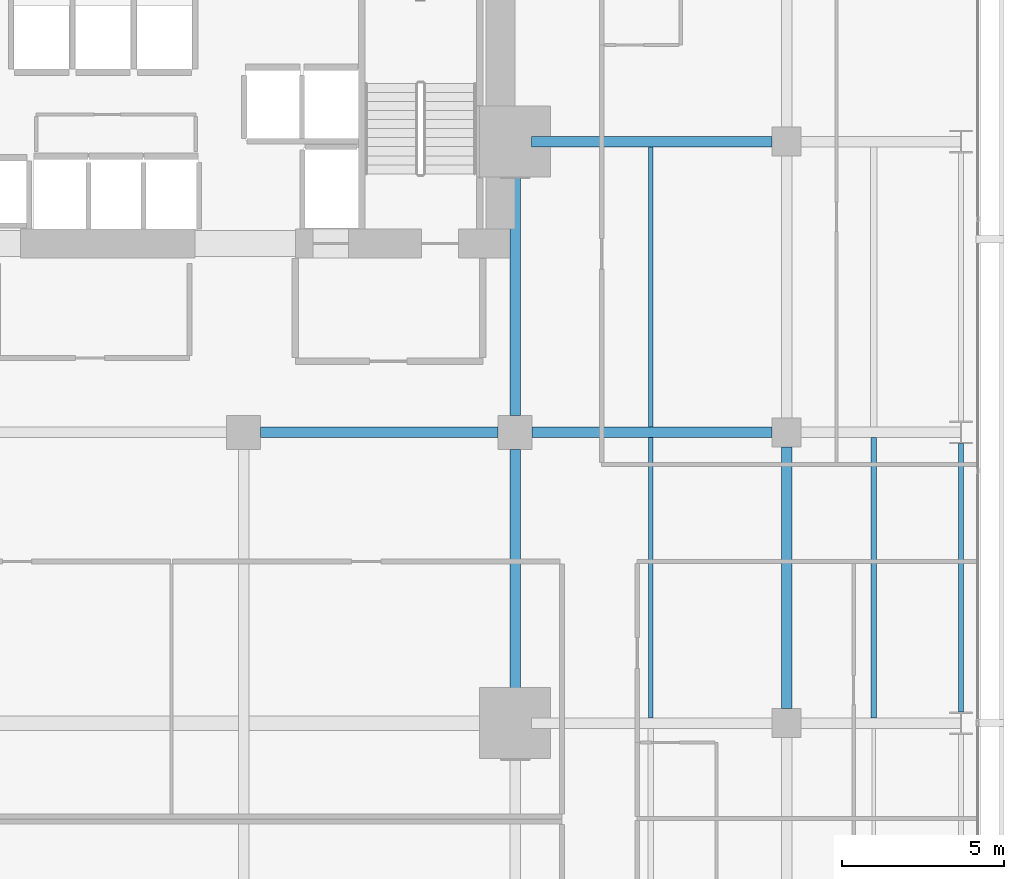
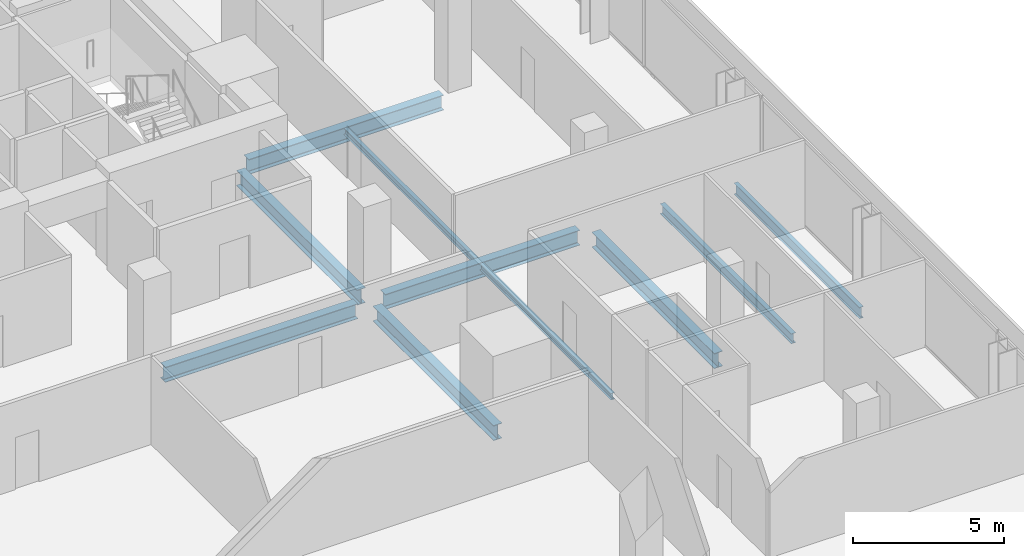
# One storey, part 27 of 39: 10 beams.
"""IFC4 building model written with IfcOpenShell, lengths in metres."""

import ifcopenshell
import ifcopenshell.guid

model = None  # the IFC model being written
_history = None  # IfcOwnerHistory: only IFC2X3 demands one
_inside = {}  # id of a spatial element -> (the spatial element, [elements in it])
_under = {}  # id of a project, library or spatial element -> (it, [spatial elements below it])
_declared = {}  # id of a project -> (the project, [libraries it declares])
_typed = {}  # id of a type object -> (the type object, [elements of that type])
_made_of = {}  # id of a material, layer set ... -> (it, [elements and type objects made of it])


def new_model(schema):
    """Start an empty IFC model of exactly this schema.

    Asked for "IFC4X3", IfcOpenShell would pick the latest addendum, in which some entities
    have other attributes; the version numbers below select the first issue.
    IFC2X3 requires an IfcOwnerHistory on every rooted entity: one is made here for all.
    """
    global model, _history
    if schema == "IFC4X3":
        model = ifcopenshell.file(schema_version=(4, 3, 0, 0))
    else:
        model = ifcopenshell.file(schema=schema)
    _inside.clear()
    _under.clear()
    _declared.clear()
    _typed.clear()
    _made_of.clear()
    _history = None
    if model.schema == "IFC2X3":
        org = make("IfcOrganization", Name="unknown")
        user = make(
            "IfcPersonAndOrganization",
            ThePerson=make("IfcPerson", FamilyName="unknown"),
            TheOrganization=org,
        )
        app = make(
            "IfcApplication",
            ApplicationDeveloper=org,
            Version="unknown",
            ApplicationFullName="unknown",
            ApplicationIdentifier="unknown",
        )
        _history = make(
            "IfcOwnerHistory",
            OwningUser=user,
            OwningApplication=app,
            ChangeAction="ADDED",
            CreationDate=0,
        )
    return model


def make(cls, **values):
    """One entity of the class cls with the attributes given. An attribute that is None is left unset."""
    return model.create_entity(
        cls, **{name: value for name, value in values.items() if value is not None}
    )


def rooted(cls, **values):
    """An entity with a GlobalId (a new one), such as an element, a storey or a relation."""
    return make(cls, GlobalId=ifcopenshell.guid.new(), OwnerHistory=_history, **values)


def si_unit(unit_type, name, prefix=None):
    """IfcSIUnit, for example si_unit("LENGTHUNIT", "METRE", prefix="MILLI")."""
    return make("IfcSIUnit", UnitType=unit_type, Prefix=prefix, Name=name)


def assignment(units):
    """IfcUnitAssignment: the units of a project."""
    return None if units is None else make("IfcUnitAssignment", Units=units)


def point(xyz):
    """IfcCartesianPoint."""
    return None if xyz is None else make("IfcCartesianPoint", Coordinates=xyz)


def direction(xyz):
    """IfcDirection."""
    return None if xyz is None else make("IfcDirection", DirectionRatios=xyz)


def frame(location, z_axis=None, x_axis=None):
    """IfcAxis2Placement3D, a coordinate frame: its origin and axes. An axis left out is left unset."""
    return make(
        "IfcAxis2Placement3D",
        Location=point(location),
        Axis=direction(z_axis),
        RefDirection=direction(x_axis),
    )


def frame_2d(location, x_axis=None):
    """IfcAxis2Placement2D, a coordinate frame in the plane: its origin and x axis."""
    return make(
        "IfcAxis2Placement2D", Location=point(location), RefDirection=direction(x_axis)
    )


def origin():
    """The frame at (0, 0, 0) with its axes left unset."""
    return frame((0.0, 0.0, 0.0))


def origin_2d():
    """The frame at (0, 0) in the plane with its x axis left unset."""
    return frame_2d((0.0, 0.0))


def place(relative_to, where):
    """IfcLocalPlacement: puts the frame where relative to a parent placement (None: the world)."""
    return make(
        "IfcLocalPlacement", PlacementRelTo=relative_to, RelativePlacement=where
    )


def context(
    kind, dimensions, precision=None, world=None, true_north=None, identifier=None
):
    """IfcGeometricRepresentationContext, for example the 3D "Model" context."""
    return make(
        "IfcGeometricRepresentationContext",
        ContextIdentifier=identifier,
        ContextType=kind,
        CoordinateSpaceDimension=dimensions,
        Precision=precision,
        WorldCoordinateSystem=world,
        TrueNorth=true_north,
    )


def subcontext(parent, identifier, kind, view, scale=None):
    """IfcGeometricRepresentationSubContext, for example "Body" below "Model"."""
    return make(
        "IfcGeometricRepresentationSubContext",
        ContextIdentifier=identifier,
        ContextType=kind,
        ParentContext=parent,
        TargetScale=scale,
        TargetView=view,
    )


def project(units=None, contexts=None):
    """IfcProject with its units and contexts."""
    return rooted(
        "IfcProject",
        Name="project",
        RepresentationContexts=contexts,
        UnitsInContext=assignment(units),
    )


def spatial(cls, under=None, at=None, **own):
    """A site, building, storey or space (cls), placed at a placement, below another one or the project."""
    s = rooted(cls, ObjectPlacement=at, **own)
    if under is not None:
        _under.setdefault(under.id(), (under, []))[1].append(s)
    return s


def profile(cls, at=None, kind="AREA", **sizes):
    """A parametric profile (cls). Its sizes go by their IFC names, for example OverallWidth=200.0."""
    return make(cls, ProfileType=kind, Position=at, **sizes)


def i_section(**sizes):
    """IfcIShapeProfileDef."""
    return profile("IfcIShapeProfileDef", **sizes)


def extrude(swept, where, along, depth):
    """IfcExtrudedAreaSolid: the profile swept, set in the frame where, extruded along a direction by depth."""
    return make(
        "IfcExtrudedAreaSolid",
        SweptArea=swept,
        Position=where,
        ExtrudedDirection=direction(along),
        Depth=depth,
    )


def shape(context_of_items, identifier, shape_type, items):
    """IfcShapeRepresentation: the items that make up one representation, for example the "Body"."""
    return make(
        "IfcShapeRepresentation",
        ContextOfItems=context_of_items,
        RepresentationIdentifier=identifier,
        RepresentationType=shape_type,
        Items=items,
    )


def material(Name=None, Category=None):
    """IfcMaterial."""
    return make("IfcMaterial", Name=Name, Category=Category)


def material_profile(
    of_material, cross_section, Name=None, Category=None, Priority=None
):
    """IfcMaterialProfile: a cross section and its material."""
    return make(
        "IfcMaterialProfile",
        Name=Name,
        Material=of_material,
        Profile=cross_section,
        Priority=Priority,
        Category=Category,
    )


def profile_set(profiles, Name=None, composite=None):
    """IfcMaterialProfileSet."""
    return make(
        "IfcMaterialProfileSet",
        Name=Name,
        MaterialProfiles=profiles,
        CompositeProfile=composite,
    )


def made_of(thing, what):
    """Note that an element or type object is made of a material, layer set ...; save() writes the relation."""
    if what is not None:
        _made_of.setdefault(what.id(), (what, []))[1].append(thing)
    return thing


def type_object(cls, material=None, **own):
    """A type object (cls), such as IfcWallType, which elements share."""
    return made_of(rooted(cls, **own), material)


def element(
    cls,
    number,
    at=None,
    inside=None,
    cuts=None,
    type_object=None,
    material=None,
    context=None,
    identifier="Body",
    shape_type=None,
    held_by="IfcProductDefinitionShape",
    body=None,
    shapes=None,
    **own,
):
    """One element of the class cls, such as IfcWall. Its Tag is "e" and its number.

    at: its placement. inside: the storey or other place that contains it. cuts: it is an
    opening in that element (IfcRelVoidsElement). A single representation is given by context,
    identifier, shape_type and body (its items); several are given by shapes. held_by: the class
    of the entity that holds the representations. save() writes the other relations.
    """
    e = rooted(cls, Tag="e%d" % number, ObjectPlacement=at, **own)
    if body is not None:
        shapes = [shape(context, identifier, shape_type, body)]
    if shapes is not None:
        e.Representation = make(held_by, Representations=shapes)
    if inside is not None:
        _inside.setdefault(inside.id(), (inside, []))[1].append(e)
    if cuts is not None:
        rooted(
            "IfcRelVoidsElement", RelatingBuildingElement=cuts, RelatedOpeningElement=e
        )
    if type_object is not None:
        _typed.setdefault(type_object.id(), (type_object, []))[1].append(e)
    return made_of(e, material)


def aggregate(whole, parts):
    """IfcRelAggregates: a whole, such as a stair, and the parts it consists of."""
    return rooted("IfcRelAggregates", RelatingObject=whole, RelatedObjects=parts)


def save(model, path):
    """Write the relations noted so far, then the file.

    IfcRelAggregates (storeys below a building ...), IfcRelContainedInSpatialStructure (elements
    in a storey), IfcRelDefinesByType, IfcRelAssociatesMaterial and IfcRelDeclares: one each for
    every whole, place, type object, material and project.
    """
    for whole, parts in _under.values():
        aggregate(whole, parts)
    for where, things in _inside.values():
        rooted(
            "IfcRelContainedInSpatialStructure",
            RelatedElements=things,
            RelatingStructure=where,
        )
    for kind, things in _typed.values():
        rooted("IfcRelDefinesByType", RelatedObjects=things, RelatingType=kind)
    for what, things in _made_of.values():
        rooted("IfcRelAssociatesMaterial", RelatedObjects=things, RelatingMaterial=what)
    for by, libraries in _declared.values():
        rooted("IfcRelDeclares", RelatingContext=by, RelatedDefinitions=libraries)
    model.write(path)


model = new_model("IFC4")

# Units and contexts
model_context = context("Model", 3, precision=1e-05, world=origin(), true_north=direction((0.0, 1.0)))
body_context = subcontext(model_context, "Body", "Model", "MODEL_VIEW")
ifc_project = project(units=[si_unit("LENGTHUNIT", "METRE"), si_unit("AREAUNIT", "SQUARE_METRE"), si_unit("VOLUMEUNIT", "CUBIC_METRE"), si_unit("PLANEANGLEUNIT", "RADIAN"), si_unit("MASSUNIT", "GRAM", prefix="KILO")], contexts=[model_context])

# Site, building, storey
site_placement = place(None, origin())
site = spatial("IfcSite", under=ifc_project, at=site_placement, CompositionType="ELEMENT")
building_placement = place(site_placement, origin())
building = spatial("IfcBuilding", under=site, at=building_placement, Name="Maruvema Waterfront Hotel and Observation Tower", CompositionType="ELEMENT")
storey_placement = place(building_placement, frame((0.0, 0.0, 111.64990234375)))
storey = spatial("IfcBuildingStorey", under=building, at=storey_placement, Name="L27", CompositionType="ELEMENT", Elevation=111.64990234375)

# Beams
ifc_material_1 = material(Name="Steel ASTM A572 Grade 50", Category="steel")
ifc_material_profile_1 = material_profile(ifc_material_1, i_section(OverallWidth=0.153076171875, OverallDepth=0.455078125, WebThickness=0.008056640625, FlangeThickness=0.01318359375, FilletRadius=0.014892578125, at=origin_2d()), Name="W460x60.0")
ifc_profile_set_1 = profile_set([ifc_material_profile_1], Name="Steel ASTM A572 Grade 50")
beam_type_1 = type_object("IfcBeamType", Name="Perimeter Spandrel Beam W460x60.0", PredefinedType="SPANDREL", material=ifc_profile_set_1)
beam_1_placement = place(storey_placement, frame((64.199951171875, 27.35009765625, -0.46728515625), z_axis=(0.0, 1.0, 0.0), x_axis=(-1.0, 0.0, 0.0)))
element("IfcBeam", 1, at=beam_1_placement, inside=storey, type_object=beam_type_1, Name="L27 Floor Girder NS-35", PredefinedType="SPANDREL", context=body_context, shape_type="SweptSolid", body=[
    extrude(i_section(OverallWidth=0.153076171875, OverallDepth=0.455078125, WebThickness=0.008056640625, FlangeThickness=0.01318359375, FilletRadius=0.014892578125, at=origin_2d()), origin(), (0.0, 0.0, 1.0), 8.2998046875),
])
ifc_material_2 = material(Name="Steel ASTM A572 Grade 50", Category="steel")
ifc_material_profile_2 = material_profile(ifc_material_2, i_section(OverallWidth=0.323974609375, OverallDepth=0.611083984375, WebThickness=0.0126953125, FlangeThickness=0.01904296875, FilletRadius=0.01806640625, at=origin_2d()), Name="W610x155.0")
ifc_profile_set_2 = profile_set([ifc_material_profile_2], Name="Steel ASTM A572 Grade 50")
beam_type_2 = type_object("IfcBeamType", Name="Primary Floor Girder W610x155.0", PredefinedType="BEAM", material=ifc_profile_set_2)
beam_2_placement = place(storey_placement, frame((42.52490234375, 36.0, -0.54541015625), z_axis=(1.0, 0.0, 0.0), x_axis=(0.0, 1.0, 0.0)))
element("IfcBeam", 2, at=beam_2_placement, inside=storey, type_object=beam_type_2, Name="L27 Floor Girder EW-29", PredefinedType="BEAM", context=body_context, shape_type="SweptSolid", body=[
    extrude(i_section(OverallWidth=0.323974609375, OverallDepth=0.611083984375, WebThickness=0.0126953125, FlangeThickness=0.01904296875, FilletRadius=0.01806640625, at=origin_2d()), origin(), (0.0, 0.0, 1.0), 7.35009765625),
])
beam_3_placement = place(storey_placement, frame((50.925048828125, 36.0, -0.54541015625), z_axis=(1.0, 0.0, 0.0), x_axis=(0.0, 1.0, 0.0)))
element("IfcBeam", 3, at=beam_3_placement, inside=storey, type_object=beam_type_2, Name="L27 Floor Girder EW-30", PredefinedType="BEAM", context=body_context, shape_type="SweptSolid", body=[
    extrude(i_section(OverallWidth=0.323974609375, OverallDepth=0.611083984375, WebThickness=0.0126953125, FlangeThickness=0.01904296875, FilletRadius=0.01806640625, at=origin_2d()), origin(), (0.0, 0.0, 1.0), 7.425048828125),
])
beam_4_placement = place(storey_placement, frame((50.89990234375, 45.0, -0.54541015625), z_axis=(1.0, 0.0, 0.0), x_axis=(0.0, 1.0, 0.0)))
element("IfcBeam", 4, at=beam_4_placement, inside=storey, type_object=beam_type_2, Name="L27 Floor Girder EW-34", PredefinedType="BEAM", context=body_context, shape_type="SweptSolid", body=[
    extrude(i_section(OverallWidth=0.323974609375, OverallDepth=0.611083984375, WebThickness=0.0126953125, FlangeThickness=0.01904296875, FilletRadius=0.01806640625, at=origin_2d()), origin(), (0.0, 0.0, 1.0), 7.4501953125),
])
for number, where, z_axis, x_axis, name in (
    (5, (50.39990234375, 27.5, -0.54541015625), (0.0, 1.0, 0.0), (-1.0, 0.0, 0.0), "L27 Floor Girder NS-25"),
    (6, (50.39990234375, 36.52490234375, -0.54541015625), (0.0, 1.0, 0.0), (-1.0, 0.0, 0.0), "L27 Floor Girder NS-26"),
):
    element("IfcBeam", number, at=place(storey_placement, frame(where, z_axis=z_axis, x_axis=x_axis)), inside=storey, type_object=beam_type_2, Name=name, PredefinedType="BEAM", context=body_context, shape_type="SweptSolid", body=[
        extrude(i_section(OverallWidth=0.323974609375, OverallDepth=0.611083984375, WebThickness=0.0126953125, FlangeThickness=0.01904296875, FilletRadius=0.01806640625, at=origin_2d()), origin(), (0.0, 0.0, 1.0), 7.97509765625),
    ])
beam_5_placement = place(storey_placement, frame((58.800048828125, 27.449951171875, -0.54541015625), z_axis=(0.0, 1.0, 0.0), x_axis=(-1.0, 0.0, 0.0)))
element("IfcBeam", 7, at=beam_5_placement, inside=storey, type_object=beam_type_2, Name="L27 Floor Girder NS-30", PredefinedType="BEAM", context=body_context, shape_type="SweptSolid", body=[
    extrude(i_section(OverallWidth=0.323974609375, OverallDepth=0.611083984375, WebThickness=0.0126953125, FlangeThickness=0.01904296875, FilletRadius=0.01806640625, at=origin_2d()), origin(), (0.0, 0.0, 1.0), 8.10009765625),
])
ifc_material_3 = material(Name="Steel ASTM A572 Grade 50", Category="steel")
ifc_material_profile_3 = material_profile(ifc_material_3, i_section(OverallWidth=0.14599609375, OverallDepth=0.258056640625, WebThickness=0.006103515625, FlangeThickness=0.009033203125, FilletRadius=0.012939453125, at=origin_2d()), Name="W250x32.7")
ifc_profile_set_3 = profile_set([ifc_material_profile_3], Name="Steel ASTM A572 Grade 50")
beam_type_3 = type_object("IfcBeamType", Name="Secondary Floor Joist W250x32.7", PredefinedType="JOIST", material=ifc_profile_set_3)
beam_6_placement = place(storey_placement, frame((54.60009765625, 36.162109375, -0.368896484375), z_axis=(0.0, 1.0, 0.0), x_axis=(-1.0, 0.0, 0.0)))
element("IfcBeam", 8, at=beam_6_placement, inside=storey, type_object=beam_type_3, Name="L27 Secondary Floor Joist JS-20", PredefinedType="JOIST", context=body_context, shape_type="SweptSolid", body=[
    extrude(i_section(OverallWidth=0.14599609375, OverallDepth=0.258056640625, WebThickness=0.006103515625, FlangeThickness=0.009033203125, FilletRadius=0.012939453125, at=origin_2d()), origin(), (0.0, 0.0, 1.0), 8.67578125),
])
ifc_material_4 = material(Name="Steel ASTM A572 Grade 50", Category="steel")
ifc_material_profile_4 = material_profile(ifc_material_4, i_section(OverallWidth=0.14794921875, OverallDepth=0.26611328125, WebThickness=0.007568359375, FlangeThickness=0.012939453125, FilletRadius=0.012939453125, at=origin_2d()), Name="W250x44.8")
ifc_profile_set_4 = profile_set([ifc_material_profile_4], Name="Steel ASTM A572 Grade 50")
beam_type_4 = type_object("IfcBeamType", Name="Secondary Floor Joist W250x44.8", PredefinedType="JOIST", material=ifc_profile_set_4)
beam_7_placement = place(storey_placement, frame((54.60009765625, 27.162109375, -0.372802734375), z_axis=(0.0, 1.0, 0.0), x_axis=(-1.0, 0.0, 0.0)))
element("IfcBeam", 9, at=beam_7_placement, inside=storey, type_object=beam_type_4, Name="L27 Secondary Floor Joist JS-19", PredefinedType="JOIST", context=body_context, shape_type="SweptSolid", body=[
    extrude(i_section(OverallWidth=0.14794921875, OverallDepth=0.26611328125, WebThickness=0.007568359375, FlangeThickness=0.012939453125, FilletRadius=0.012939453125, at=origin_2d()), origin(), (0.0, 0.0, 1.0), 8.67578125),
])
ifc_material_5 = material(Name="Steel ASTM A572 Grade 50", Category="steel")
ifc_material_profile_5 = material_profile(ifc_material_5, i_section(OverallWidth=0.177001953125, OverallDepth=0.403076171875, WebThickness=0.007568359375, FlangeThickness=0.010986328125, FilletRadius=0.014892578125, at=origin_2d()), Name="W410x53.0")
ifc_profile_set_5 = profile_set([ifc_material_profile_5], Name="Steel ASTM A572 Grade 50")
beam_type_5 = type_object("IfcBeamType", Name="Secondary Floor Joist W410x53.0", PredefinedType="JOIST", material=ifc_profile_set_5)
beam_8_placement = place(storey_placement, frame((61.5, 27.162109375, -0.44140625), z_axis=(0.0, 1.0, 0.0), x_axis=(-1.0, 0.0, 0.0)))
element("IfcBeam", 10, at=beam_8_placement, inside=storey, type_object=beam_type_5, Name="L27 Secondary Floor Joist JS-23", PredefinedType="JOIST", context=body_context, shape_type="SweptSolid", body=[
    extrude(i_section(OverallWidth=0.177001953125, OverallDepth=0.403076171875, WebThickness=0.007568359375, FlangeThickness=0.010986328125, FilletRadius=0.014892578125, at=origin_2d()), origin(), (0.0, 0.0, 1.0), 8.67578125),
])

save(model, "model.ifc")
